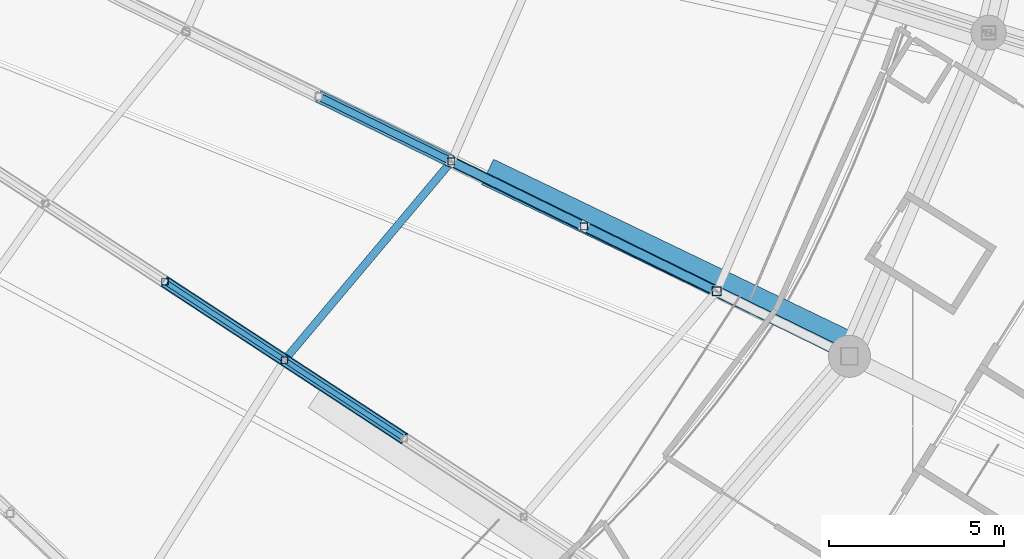
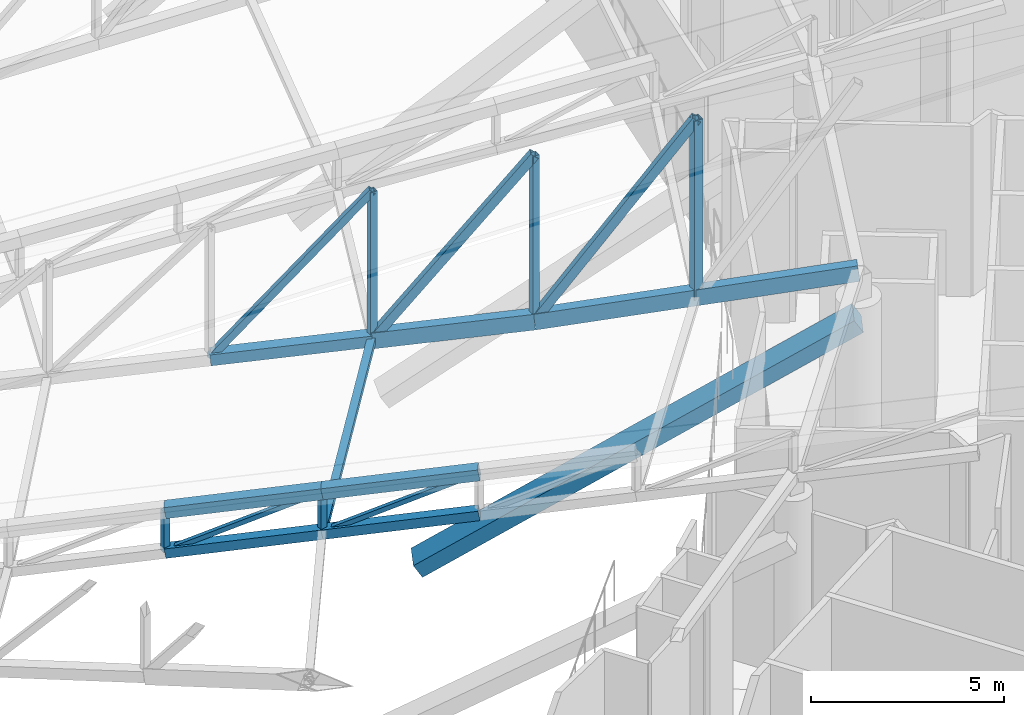
# One storey, part 87 of 344: 18 members, 1 beam.
"""IFC4 building model written with IfcOpenShell, lengths in metres."""

from ifc_helpers import new_model, si_unit, direction, frame, origin, origin_2d, place, context, subcontext, project, spatial, rectangle, hollow_rectangle, extrude, material, material_profile, profile_set, type_object, element, save


model = new_model("IFC4")

# Units and contexts
model_context = context("Model", 3, precision=1e-05, world=origin(), true_north=direction((0.0, 1.0)))
body_context = subcontext(model_context, "Body", "Model", "MODEL_VIEW")
ifc_project = project(units=[si_unit("LENGTHUNIT", "METRE"), si_unit("AREAUNIT", "SQUARE_METRE"), si_unit("VOLUMEUNIT", "CUBIC_METRE"), si_unit("PLANEANGLEUNIT", "RADIAN"), si_unit("MASSUNIT", "GRAM", prefix="KILO")], contexts=[model_context])

# Site, building, storey
site_placement = place(None, origin())
site = spatial("IfcSite", under=ifc_project, at=site_placement, CompositionType="ELEMENT")
building_placement = place(site_placement, origin())
building = spatial("IfcBuilding", under=site, at=building_placement, Name="Meseta Stadium", CompositionType="ELEMENT")
storey_placement = place(building_placement, frame((0.0, 0.0, 24.0)))
storey = spatial("IfcBuildingStorey", under=building, at=storey_placement, Name="L04", CompositionType="ELEMENT", Elevation=24.0)

# Beam
ifc_material_1 = material(Name="Concrete C40/50", Category="concrete")
ifc_material_profile_1 = material_profile(ifc_material_1, rectangle(XDim=0.800048828125, YDim=0.449951171875, at=origin_2d()), Name="RC 800x450")
ifc_profile_set_1 = profile_set([ifc_material_profile_1], Name="Concrete C40/50")
beam_type = type_object("IfcBeamType", Name="RC raker upper rear 800x450", PredefinedType="USERDEFINED", material=ifc_profile_set_1)
beam_placement = place(storey_placement, frame((67.972412109375, -67.057861328125, -2.061767578125), z_axis=(0.764771479431, -0.367790726353, 0.529012822016), x_axis=(0.433401758165, 0.901200818919, 0.0)))
element("IfcBeam", 1, at=beam_placement, inside=storey, type_object=beam_type, Name="Raker upper rear frame 54 upper tier", ObjectType="RAKER", PredefinedType="USERDEFINED", context=body_context, shape_type="SweptSolid", body=[
    extrude(rectangle(XDim=0.800048828125, YDim=0.449951171875, at=origin_2d()), origin(), (0.0, 0.0, 1.0), 13.5244140625),
])

# Members
ifc_material_2 = material(Name="Steel S355", Category="steel")
ifc_material_profile_2 = material_profile(ifc_material_2, hollow_rectangle(XDim=0.300048828125, YDim=0.5, WallThickness=0.01611328125, at=origin_2d()), Name="RHS 500x300x16")
ifc_profile_set_2 = profile_set([ifc_material_profile_2], Name="Steel S355")
member_type_1 = type_object("IfcMemberType", Name="RHS 500x300x16 bottom chord", PredefinedType="CHORD", material=ifc_profile_set_2)
member_1_placement = place(storey_placement, frame((66.834716796875, -66.708251953125, 5.253173828125), z_axis=(0.894195676329, -0.437818122818, 0.093431171286), x_axis=(0.439741666741, 0.89812430461, 0.0)))
element("IfcMember", 2, at=member_1_placement, inside=storey, type_object=member_type_1, Name="ROOF TRUSS RT-54 bottom chord", PredefinedType="CHORD", context=body_context, shape_type="SweptSolid", body=[
    extrude(hollow_rectangle(XDim=0.300048828125, YDim=0.5, WallThickness=0.01611328125, at=origin_2d()), origin(), (0.0, 0.0, 1.0), 4.23583984375),
])
member_2_placement = place(storey_placement, frame((70.622314453125, -68.562744140625, 5.64892578125), z_axis=(0.890081575126, -0.435804362581, 0.133526578544), x_axis=(0.439742151314, 0.898124067352, 0.0)))
element("IfcMember", 3, at=member_2_placement, inside=storey, type_object=member_type_1, Name="ROOF TRUSS RT-54 bottom chord", PredefinedType="CHORD", context=body_context, shape_type="SweptSolid", body=[
    extrude(hollow_rectangle(XDim=0.300048828125, YDim=0.5, WallThickness=0.01611328125, at=origin_2d()), origin(), (0.0, 0.0, 1.0), 8.51123046875),
])
ifc_material_3 = material(Name="Steel S355", Category="steel")
ifc_material_profile_3 = material_profile(ifc_material_3, hollow_rectangle(XDim=0.139892578125, YDim=0.139892578125, WallThickness=0.0048828125, at=origin_2d()), Name="SHS 140x140x5")
ifc_profile_set_3 = profile_set([ifc_material_profile_3], Name="Steel S355")
member_type_2 = type_object("IfcMemberType", Name="SHS 140x140x5 diagonal", PredefinedType="BRACE", material=ifc_profile_set_3)
for number, where, z_axis, x_axis, name in (
    (4, (58.653076171875, -70.1455078125, 3.464599609375), (0.746917635794, -0.489151751188, 0.450382736847), (0.547863186454, 0.836567946391, 0.0), "ROOF TRUSS RT-53 diagonal"),
    (5, (62.06787109375, -72.3818359375, 4.2236328125), (0.746876059854, -0.4891594958, 0.450443269331), (0.547890600116, 0.836549992711, 0.0), "ROOF TRUSS RT-53 diagonal"),
):
    element("IfcMember", number, at=place(storey_placement, frame(where, z_axis=z_axis, x_axis=x_axis)), inside=storey, type_object=member_type_2, Name=name, PredefinedType="BRACE", context=body_context, shape_type="SweptSolid", body=[
        extrude(hollow_rectangle(XDim=0.139892578125, YDim=0.139892578125, WallThickness=0.0048828125, at=origin_2d()), origin(), (0.0, 0.0, 1.0), 4.57177734375),
    ])
ifc_material_4 = material(Name="Steel S355", Category="steel")
ifc_material_profile_4 = material_profile(ifc_material_4, hollow_rectangle(XDim=0.179931640625, YDim=0.179931640625, WallThickness=0.00634765625, at=origin_2d()), Name="SHS 180x180x6.3")
ifc_profile_set_4 = profile_set([ifc_material_profile_4], Name="Steel S355")
member_type_3 = type_object("IfcMemberType", Name="SHS 180x180x6.3 post", PredefinedType="POST", material=ifc_profile_set_4)
for number, where, z_axis, x_axis, name in (
    (6, (58.653076171875, -70.1455078125, 3.464599609375), (0.0, 0.0, 1.0), (1.0, 0.0, 0.0), "ROOF TRUSS RT-53 post"),
    (7, (62.06787109375, -72.3818359375, 4.2236328125), (0.0, 0.0, 1.0), (1.0, 0.0, 0.0), "ROOF TRUSS RT-53 post"),
):
    element("IfcMember", number, at=place(storey_placement, frame(where, z_axis=z_axis, x_axis=x_axis)), inside=storey, type_object=member_type_3, Name=name, PredefinedType="POST", context=body_context, shape_type="SweptSolid", body=[
        extrude(hollow_rectangle(XDim=0.179931640625, YDim=0.179931640625, WallThickness=0.00634765625, at=origin_2d()), origin(), (0.0, 0.0, 1.0), 1.300048828125),
    ])
ifc_material_5 = material(Name="Steel S355", Category="steel")
ifc_material_profile_5 = material_profile(ifc_material_5, hollow_rectangle(XDim=0.199951171875, YDim=0.199951171875, WallThickness=0.008056640625, at=origin_2d()), Name="SHS 200x200x8")
ifc_profile_set_5 = profile_set([ifc_material_profile_5], Name="Steel S355")
member_type_4 = type_object("IfcMemberType", Name="SHS 200x200x8 diagonal", PredefinedType="BRACE", material=ifc_profile_set_5)
member_3_placement = place(storey_placement, frame((63.046875, -64.853759765625, 4.857421875), z_axis=(0.573707367057, -0.280881802137, 0.76939279319), x_axis=(0.439718804076, 0.89813549832, 0.0)))
element("IfcMember", 8, at=member_3_placement, inside=storey, type_object=member_type_4, Name="ROOF TRUSS RT-54 diagonal", PredefinedType="BRACE", context=body_context, shape_type="SweptSolid", body=[
    extrude(hollow_rectangle(XDim=0.199951171875, YDim=0.199951171875, WallThickness=0.008056640625, at=origin_2d()), origin(), (0.0, 0.0, 1.0), 6.602294921875),
])
ifc_material_6 = material(Name="Steel S355", Category="steel")
ifc_material_profile_6 = material_profile(ifc_material_6, hollow_rectangle(XDim=0.199951171875, YDim=0.199951171875, WallThickness=0.008056640625, at=origin_2d()), Name="SHS 200x200x8")
ifc_profile_set_6 = profile_set([ifc_material_profile_6], Name="Steel S355")
member_type_5 = type_object("IfcMemberType", Name="SHS 200x200x8 post", PredefinedType="POST", material=ifc_profile_set_6)
member_4_placement = place(storey_placement, frame((66.834716796875, -66.708251953125, 5.253173828125), z_axis=(0.0, 0.0, 1.0), x_axis=(1.0, 0.0, 0.0)))
element("IfcMember", 9, at=member_4_placement, inside=storey, type_object=member_type_5, Name="ROOF TRUSS RT-54 post", PredefinedType="POST", context=body_context, shape_type="SweptSolid", body=[
    extrude(hollow_rectangle(XDim=0.199951171875, YDim=0.199951171875, WallThickness=0.008056640625, at=origin_2d()), origin(), (0.0, 0.0, 1.0), 4.68408203125),
])
member_5_placement = place(storey_placement, frame((70.622314453125, -68.562744140625, 5.64892578125), z_axis=(0.0, 0.0, 1.0), x_axis=(1.0, 0.0, 0.0)))
element("IfcMember", 10, at=member_5_placement, inside=storey, type_object=member_type_5, Name="ROOF TRUSS RT-54 post", PredefinedType="POST", context=body_context, shape_type="SweptSolid", body=[
    extrude(hollow_rectangle(XDim=0.199951171875, YDim=0.199951171875, WallThickness=0.008056640625, at=origin_2d()), origin(), (0.0, 0.0, 1.0), 5.2314453125),
])
ifc_material_7 = material(Name="Steel S355", Category="steel")
ifc_material_profile_7 = material_profile(ifc_material_7, hollow_rectangle(XDim=0.219970703125, YDim=0.219970703125, WallThickness=0.008056640625, at=origin_2d()), Name="SHS 220x220x8")
ifc_profile_set_7 = profile_set([ifc_material_profile_7], Name="Steel S355")
member_type_6 = type_object("IfcMemberType", Name="SHS 220x220x8 strut", PredefinedType="STRUT", material=ifc_profile_set_7)
member_6_placement = place(storey_placement, frame((62.06787109375, -72.3818359375, 4.2236328125), z_axis=(0.637153993948, 0.758351941888, 0.137612209602), x_axis=(-0.765636062871, 0.643273984576, 0.0)))
element("IfcMember", 11, at=member_6_placement, inside=storey, type_object=member_type_6, Name="ROOF TRUSS STRUT RT-53/54", PredefinedType="STRUT", context=body_context, shape_type="SweptSolid", body=[
    extrude(hollow_rectangle(XDim=0.219970703125, YDim=0.219970703125, WallThickness=0.008056640625, at=origin_2d()), origin(), (0.0, 0.0, 1.0), 7.4814453125),
])
ifc_material_8 = material(Name="Steel S355", Category="steel")
ifc_material_profile_8 = material_profile(ifc_material_8, hollow_rectangle(XDim=0.25, YDim=0.25, WallThickness=0.010009765625, at=origin_2d()), Name="SHS 250x250x10")
ifc_profile_set_8 = profile_set([ifc_material_profile_8], Name="Steel S355")
member_type_7 = type_object("IfcMemberType", Name="SHS 250x250x10 diagonal", PredefinedType="BRACE", material=ifc_profile_set_8)
member_7_placement = place(storey_placement, frame((66.834716796875, -66.708251953125, 5.253173828125), z_axis=(0.53861568291, -0.263718236907, 0.800216119337), x_axis=(0.439741666741, 0.89812430461, 0.0)))
element("IfcMember", 12, at=member_7_placement, inside=storey, type_object=member_type_7, Name="ROOF TRUSS RT-54 diagonal", PredefinedType="BRACE", context=body_context, shape_type="SweptSolid", body=[
    extrude(hollow_rectangle(XDim=0.25, YDim=0.25, WallThickness=0.010009765625, at=origin_2d()), origin(), (0.0, 0.0, 1.0), 7.031982421875),
])
member_8_placement = place(storey_placement, frame((70.622314453125, -68.562744140625, 5.64892578125), z_axis=(0.506565341102, -0.248042339436, 0.825752113555), x_axis=(0.439765497661, 0.898112636069, 0.0)))
element("IfcMember", 13, at=member_8_placement, inside=storey, type_object=member_type_7, Name="ROOF TRUSS RT-54 diagonal", PredefinedType="BRACE", context=body_context, shape_type="SweptSolid", body=[
    extrude(hollow_rectangle(XDim=0.25, YDim=0.25, WallThickness=0.010009765625, at=origin_2d()), origin(), (0.0, 0.0, 1.0), 7.4775390625),
])
ifc_material_9 = material(Name="Steel S355", Category="steel")
ifc_material_profile_9 = material_profile(ifc_material_9, hollow_rectangle(XDim=0.25, YDim=0.25, WallThickness=0.010009765625, at=origin_2d()), Name="SHS 250x250x10")
ifc_profile_set_9 = profile_set([ifc_material_profile_9], Name="Steel S355")
member_type_8 = type_object("IfcMemberType", Name="SHS 250x250x10 post", PredefinedType="POST", material=ifc_profile_set_9)
member_9_placement = place(storey_placement, frame((74.41015625, -70.41748046875, 6.148681640625), z_axis=(0.0, 0.0, 1.0), x_axis=(1.0, 0.0, 0.0)))
element("IfcMember", 14, at=member_9_placement, inside=storey, type_object=member_type_8, Name="ROOF TRUSS RT-54 post", PredefinedType="POST", context=body_context, shape_type="SweptSolid", body=[
    extrude(hollow_rectangle(XDim=0.25, YDim=0.25, WallThickness=0.010009765625, at=origin_2d()), origin(), (0.0, 0.0, 1.0), 5.6748046875),
])
ifc_material_10 = material(Name="Steel S355", Category="steel")
ifc_material_profile_10 = material_profile(ifc_material_10, hollow_rectangle(XDim=0.300048828125, YDim=0.300048828125, WallThickness=0.010009765625, at=origin_2d()), Name="SHS 300x300x10")
ifc_profile_set_10 = profile_set([ifc_material_profile_10], Name="Steel S355")
member_type_9 = type_object("IfcMemberType", Name="SHS 300x300x10 bottom chord", PredefinedType="CHORD", material=ifc_profile_set_10)
member_10_placement = place(storey_placement, frame((58.653076171875, -70.1455078125, 3.464599609375), z_axis=(0.822469281869, -0.538630058048, 0.182816686733), x_axis=(0.547863186454, 0.836567946391, 0.0)))
element("IfcMember", 15, at=member_10_placement, inside=storey, type_object=member_type_9, Name="ROOF TRUSS RT-53 bottom chord", PredefinedType="CHORD", context=body_context, shape_type="SweptSolid", body=[
    extrude(hollow_rectangle(XDim=0.300048828125, YDim=0.300048828125, WallThickness=0.010009765625, at=origin_2d()), origin(), (0.0, 0.0, 1.0), 4.15185546875),
])
member_11_placement = place(storey_placement, frame((62.06787109375, -72.3818359375, 4.2236328125), z_axis=(0.822441411781, -0.538650316882, 0.182882367413), x_axis=(0.547890600116, 0.836549992711, 0.0)))
element("IfcMember", 16, at=member_11_placement, inside=storey, type_object=member_type_9, Name="ROOF TRUSS RT-53 bottom chord", PredefinedType="CHORD", context=body_context, shape_type="SweptSolid", body=[
    extrude(hollow_rectangle(XDim=0.300048828125, YDim=0.300048828125, WallThickness=0.010009765625, at=origin_2d()), origin(), (0.0, 0.0, 1.0), 4.151611328125),
])
ifc_material_11 = material(Name="Steel S355", Category="steel")
ifc_material_profile_11 = material_profile(ifc_material_11, hollow_rectangle(XDim=0.35009765625, YDim=0.35009765625, WallThickness=0.010009765625, at=origin_2d()), Name="SHS 350x350x10")
ifc_profile_set_11 = profile_set([ifc_material_profile_11], Name="Steel S355")
member_type_10 = type_object("IfcMemberType", Name="SHS 350x350x10 top chord", PredefinedType="CHORD", material=ifc_profile_set_11)
member_12_placement = place(storey_placement, frame((58.653076171875, -70.1455078125, 4.7646484375), z_axis=(0.822469281869, -0.538630058048, 0.182816686733), x_axis=(0.547863186454, 0.836567946391, 0.0)))
element("IfcMember", 17, at=member_12_placement, inside=storey, type_object=member_type_10, Name="ROOF TRUSS RT-53 top chord", PredefinedType="CHORD", context=body_context, shape_type="SweptSolid", body=[
    extrude(hollow_rectangle(XDim=0.35009765625, YDim=0.35009765625, WallThickness=0.010009765625, at=origin_2d()), origin(), (0.0, 0.0, 1.0), 4.15185546875),
])
member_13_placement = place(storey_placement, frame((62.06787109375, -72.3818359375, 5.523681640625), z_axis=(0.822441411781, -0.538650316882, 0.182882367413), x_axis=(0.547890600116, 0.836549992711, 0.0)))
element("IfcMember", 18, at=member_13_placement, inside=storey, type_object=member_type_10, Name="ROOF TRUSS RT-53 top chord", PredefinedType="CHORD", context=body_context, shape_type="SweptSolid", body=[
    extrude(hollow_rectangle(XDim=0.35009765625, YDim=0.35009765625, WallThickness=0.010009765625, at=origin_2d()), origin(), (0.0, 0.0, 1.0), 4.151611328125),
])
ifc_material_12 = material(Name="Steel S355", Category="steel")
ifc_material_profile_12 = material_profile(ifc_material_12, hollow_rectangle(XDim=0.35009765625, YDim=0.35009765625, WallThickness=0.01416015625, at=origin_2d()), Name="SHS 350x350x14.2")
ifc_profile_set_12 = profile_set([ifc_material_profile_12], Name="Steel S355")
member_type_11 = type_object("IfcMemberType", Name="SHS 350x350x14.2 bottom chord", PredefinedType="CHORD", material=ifc_profile_set_12)
member_14_placement = place(storey_placement, frame((63.046875, -64.853759765625, 4.857421875), z_axis=(0.8942072269, -0.437795558848, 0.093426356094), x_axis=(0.439718804076, 0.89813549832, 0.0)))
element("IfcMember", 19, at=member_14_placement, inside=storey, type_object=member_type_11, Name="ROOF TRUSS RT-54 bottom chord", PredefinedType="CHORD", context=body_context, shape_type="SweptSolid", body=[
    extrude(hollow_rectangle(XDim=0.35009765625, YDim=0.35009765625, WallThickness=0.01416015625, at=origin_2d()), origin(), (0.0, 0.0, 1.0), 4.236083984375),
])

save(model, "model.ifc")
